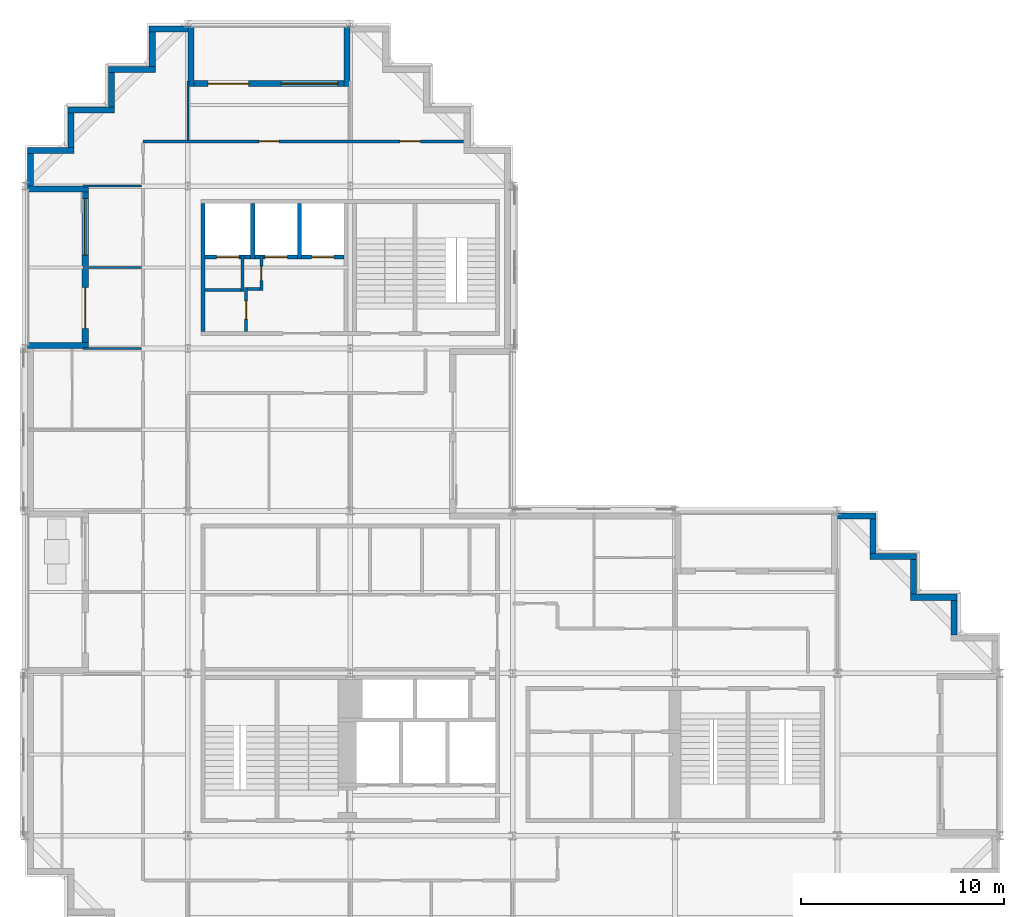
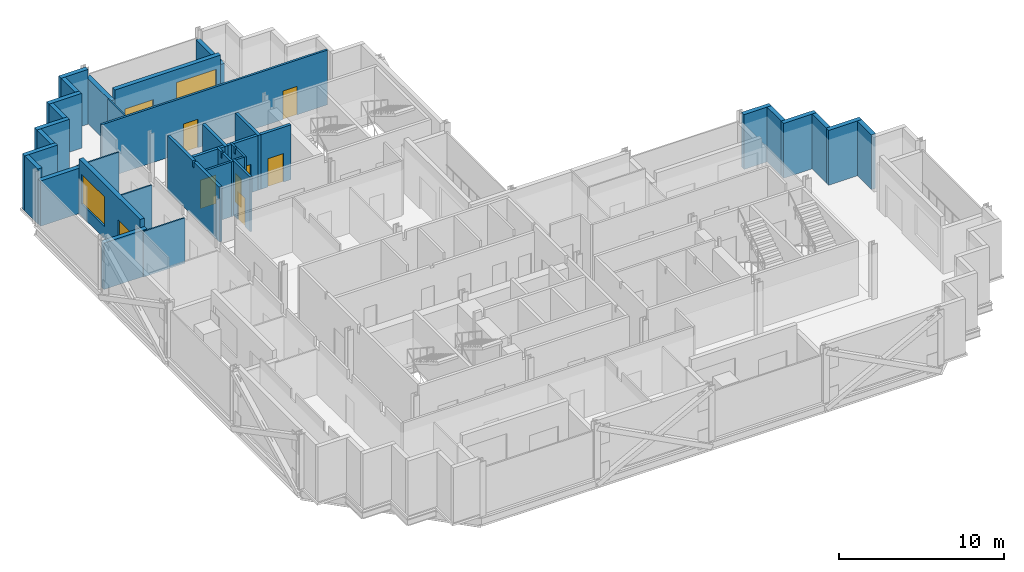
# One storey, part 8 of 13: 38 walls, 9 doors, 2 windows, 11 openings.
"""IFC4 building model written with IfcOpenShell, lengths in metres."""

from ifc_helpers import new_model, si_unit, direction, frame, frame_2d, origin, place, context, subcontext, project, spatial, polyline, rectangle, outline, extrude, material, layer, layer_set, type_object, element, fill, save


model = new_model("IFC4")

# Units and contexts
model_context = context("Model", 3, precision=1e-05, world=origin(), true_north=direction((0.0, 1.0)))
body_context = subcontext(model_context, "Body", "Model", "MODEL_VIEW")
ifc_project = project(units=[si_unit("LENGTHUNIT", "METRE"), si_unit("AREAUNIT", "SQUARE_METRE"), si_unit("VOLUMEUNIT", "CUBIC_METRE"), si_unit("PLANEANGLEUNIT", "RADIAN"), si_unit("MASSUNIT", "GRAM", prefix="KILO")], contexts=[model_context])

# Site, building, storey
site_placement = place(None, origin())
site = spatial("IfcSite", under=ifc_project, at=site_placement, CompositionType="ELEMENT")
building_placement = place(site_placement, origin())
building = spatial("IfcBuilding", under=site, at=building_placement, Name="Immortelle Media Tower", CompositionType="ELEMENT")
storey_placement = place(building_placement, frame((0.0, 0.0, 170.39990234375)))
storey = spatial("IfcBuildingStorey", under=building, at=storey_placement, Name="L35", CompositionType="ELEMENT", Elevation=170.39990234375)

# Walls
ifc_material_1 = material(Name="Fire-rated gypsum board", Category="gypsum")
ifc_layer_1 = layer(ifc_material_1, 0.02490234375)
ifc_material_2 = material(Name="Steel ASTM A653 SS Gr 50 stud frame with mineral wool", Category="steel")
ifc_layer_2 = layer(ifc_material_2, 0.10009765625)
ifc_layer_3 = layer(ifc_material_1, 0.02490234375)
ifc_layer_set_1 = layer_set([ifc_layer_1, ifc_layer_2, ifc_layer_3], Name="Steel ASTM A653 SS Gr 50 stud frame with mineral wool")
wall_type_1 = type_object("IfcWallType", Name="Core partition 150", PredefinedType="PARTITIONING", material=ifc_layer_set_1)
wall_1_placement = place(storey_placement, frame((8.85009765625, 34.875, 0.0), z_axis=(0.0, 0.0, 1.0), x_axis=(1.0, 0.0, 0.0)))
element("IfcWall", 1, at=wall_1_placement, inside=storey, type_object=wall_type_1, Name="Core partition NW", PredefinedType="PARTITIONING", context=body_context, shape_type="SweptSolid", body=[
    extrude(rectangle(XDim=1.77490234375, YDim=0.14990234375, at=frame_2d((0.887451171875, 0.0))), origin(), (0.0, 0.0, 1.0), 4.050048828125),
])
wall_2_placement = place(storey_placement, frame((10.699951171875, 34.800048828125, 0.0), z_axis=(0.0, 0.0, 1.0), x_axis=(0.0, 1.0, 0.0)))
element("IfcWall", 2, at=wall_2_placement, inside=storey, type_object=wall_type_1, Name="Core partition NW", PredefinedType="PARTITIONING", context=body_context, shape_type="SweptSolid", body=[
    extrude(outline(polyline([(0.0, 0.0), (1.800048828125, 0.0), (1.800048828125, 4.050048828125), (1.281494140625, 4.050048828125), (1.280517578125, 3.589111328125), (1.119384765625, 3.589111328125), (1.118408203125, 4.050048828125), (0.0, 4.050048828125), (0.0, 0.0)])), frame((0.0, 0.074951171875, 0.0), z_axis=(0.0, -1.0, 0.0), x_axis=(1.0, 0.0, 0.0)), (0.0, 0.0, 1.0), 0.14990234375),
])

# Wall, opening, door
wall_3_placement = place(storey_placement, frame((10.875, 32.85009765625, 0.0), z_axis=(0.0, 0.0, 1.0), x_axis=(0.0, 1.0, 0.0)))
wall_3 = element("IfcWall", 3, at=wall_3_placement, inside=storey, type_object=wall_type_1, Name="Core partition NW", PredefinedType="PARTITIONING", context=body_context, shape_type="SweptSolid", body=[
    extrude(rectangle(XDim=2.14990234375, YDim=0.14990234375, at=frame_2d((1.074951171875, 0.0))), origin(), (0.0, 0.0, 1.0), 4.050048828125),
])
opening_1_placement = place(wall_3_placement, frame((0.60009765625, 0.0, 0.0)))
opening_1 = element("IfcOpeningElement", 4, at=opening_1_placement, cuts=wall_3, Name="Opening C5-K026", PredefinedType="OPENING", context=body_context, shape_type="SweptSolid", body=[
    extrude(rectangle(XDim=0.89990234375, YDim=2.10009765625, at=frame_2d((0.449951171875, 1.050048828125))), frame((0.0, 0.0849609375, 0.0), z_axis=(0.0, -1.0, 0.0), x_axis=(1.0, 0.0, 0.0)), (0.0, 0.0, 1.0), 0.169921875),
])
ifc_material_3 = material(Name="Galvanised steel door leaf and frame ASTM A653", Category="steel")
door_type_1 = type_object("IfcDoorType", Name="Service door 900 x 2100", OperationType="NOTDEFINED", PredefinedType="NOTDEFINED", material=ifc_material_3)
door_1_placement = place(opening_1_placement, origin())
door_1 = element("IfcDoor", 5, at=door_1_placement, inside=storey, type_object=door_type_1, Name="Service C5-K026", OperationType="SINGLE_SWING_RIGHT", OverallHeight=2.10009765625, OverallWidth=0.89990234375, PredefinedType="NOTDEFINED", context=body_context, shape_type="SweptSolid", body=[
    extrude(rectangle(XDim=0.89990234375, YDim=2.10009765625, at=frame_2d((0.449951171875, 1.050048828125))), frame((0.0, 0.02490234375, 0.0), z_axis=(0.0, -1.0, 0.0), x_axis=(1.0, 0.0, 0.0)), (0.0, 0.0, 1.0), 0.050048828125),
])
fill(opening_1, door_1)

# Wall
wall_4_placement = place(storey_placement, frame((10.949951171875, 34.925048828125, 0.0), z_axis=(0.0, 0.0, 1.0), x_axis=(1.0, 0.0, 0.0)))
element("IfcWall", 6, at=wall_4_placement, inside=storey, type_object=wall_type_1, Name="Core partition NW", PredefinedType="PARTITIONING", context=body_context, shape_type="SweptSolid", body=[
    extrude(rectangle(XDim=0.60009765625, YDim=0.14990234375, at=frame_2d((0.300048828125, 0.0))), origin(), (0.0, 0.0, 1.0), 4.050048828125),
])

# Wall, opening, door
wall_5_placement = place(storey_placement, frame((11.625, 34.85009765625, 0.0), z_axis=(0.0, 0.0, 1.0), x_axis=(0.0, 1.0, 0.0)))
wall_5 = element("IfcWall", 7, at=wall_5_placement, inside=storey, type_object=wall_type_1, Name="Core partition NW", PredefinedType="PARTITIONING", context=body_context, shape_type="SweptSolid", body=[
    extrude(outline(polyline([(0.0, 0.0), (1.75, 0.0), (1.75, 4.050048828125), (1.2314453125, 4.050048828125), (1.23046875, 3.589111328125), (1.069580078125, 3.589111328125), (1.068603515625, 4.050048828125), (0.0, 4.050048828125), (0.0, 0.0)])), frame((0.0, 0.074951171875, 0.0), z_axis=(0.0, -1.0, 0.0), x_axis=(1.0, 0.0, 0.0)), (0.0, 0.0, 1.0), 0.14990234375),
])
opening_2_placement = place(wall_5_placement, frame((0.5, 0.0, 0.0)))
opening_2 = element("IfcOpeningElement", 8, at=opening_2_placement, cuts=wall_5, Name="Opening C5-K027", PredefinedType="OPENING", context=body_context, shape_type="SweptSolid", body=[
    extrude(rectangle(XDim=0.699951171875, YDim=2.10009765625, at=frame_2d((0.35009765625, 1.050048828125))), frame((0.0, 0.0849609375, 0.0), z_axis=(0.0, -1.0, 0.0), x_axis=(1.0, 0.0, 0.0)), (0.0, 0.0, 1.0), 0.169921875),
])
door_type_2 = type_object("IfcDoorType", Name="Service door 700 x 2100", OperationType="NOTDEFINED", PredefinedType="NOTDEFINED", material=ifc_material_3)
door_2_placement = place(opening_2_placement, origin())
door_2 = element("IfcDoor", 9, at=door_2_placement, inside=storey, type_object=door_type_2, Name="Service C5-K027", OperationType="SINGLE_SWING_RIGHT", OverallHeight=2.10009765625, OverallWidth=0.699951171875, PredefinedType="NOTDEFINED", context=body_context, shape_type="SweptSolid", body=[
    extrude(rectangle(XDim=0.699951171875, YDim=2.10009765625, at=frame_2d((0.35009765625, 1.050048828125))), frame((0.0, 0.02490234375, 0.0), z_axis=(0.0, -1.0, 0.0), x_axis=(1.0, 0.0, 0.0)), (0.0, 0.0, 1.0), 0.050048828125),
])
fill(opening_2, door_2)

# Wall
ifc_layer_4 = layer(ifc_material_1, 0.03759765625)
ifc_layer_5 = layer(ifc_material_2, 0.125)
ifc_layer_6 = layer(ifc_material_1, 0.03759765625)
ifc_layer_set_2 = layer_set([ifc_layer_4, ifc_layer_5, ifc_layer_6], Name="Steel ASTM A653 SS Gr 50 stud frame with mineral wool")
wall_type_2 = type_object("IfcWallType", Name="Core shaft wall 200", PredefinedType="PARTITIONING", material=ifc_layer_set_2)
wall_6_placement = place(storey_placement, frame((8.75, 32.85009765625, 0.0), z_axis=(0.0, 0.0, 1.0), x_axis=(0.0, 1.0, 0.0)))
element("IfcWall", 10, at=wall_6_placement, inside=storey, type_object=wall_type_2, Name="Core shaft wall NW", PredefinedType="PARTITIONING", context=body_context, shape_type="SweptSolid", body=[
    extrude(outline(polyline([(0.0, 0.0), (6.2998046875, 0.0), (6.300048828125, 4.050048828125), (3.2314453125, 4.050048828125), (3.23046875, 3.589111328125), (3.069580078125, 3.589111328125), (3.068603515625, 4.050048828125), (0.0, 4.050048828125), (0.0, 0.0)])), frame((0.0, 0.10009765625, 0.0), z_axis=(0.0, -1.0, 0.0), x_axis=(1.0, 0.0, 0.0)), (0.0, 0.0, 1.0), 0.199951171875),
])

# Wall, opening, door
wall_7_placement = place(storey_placement, frame((8.85009765625, 36.5, 0.0), z_axis=(0.0, 0.0, 1.0), x_axis=(1.0, 0.0, 0.0)))
wall_7 = element("IfcWall", 11, at=wall_7_placement, inside=storey, type_object=wall_type_2, Name="Core shaft wall NW", PredefinedType="PARTITIONING", context=body_context, shape_type="SweptSolid", body=[
    extrude(rectangle(XDim=1.77490234375, YDim=0.199951171875, at=frame_2d((0.887451171875, 0.0))), origin(), (0.0, 0.0, 1.0), 4.050048828125),
])
opening_3_placement = place(wall_7_placement, frame((0.574951171875, 0.0, 0.0)))
opening_3 = element("IfcOpeningElement", 12, at=opening_3_placement, cuts=wall_7, Name="Opening LD", PredefinedType="OPENING", context=body_context, shape_type="SweptSolid", body=[
    extrude(rectangle(XDim=1.10009765625, YDim=2.10009765625, at=frame_2d((0.550048828125, 1.050048828125))), frame((0.0, 0.10986328125, 0.0), z_axis=(0.0, -1.0, 0.0), x_axis=(1.0, 0.0, 0.0)), (0.0, 0.0, 1.0), 0.219970703125),
])
ifc_material_4 = material(Name="Stainless steel AISI 304", Category="steel")
door_type_3 = type_object("IfcDoorType", Name="Landing door 1100 x 2100", OperationType="SLIDING_TO_LEFT", PredefinedType="NOTDEFINED", material=ifc_material_4)
door_3_placement = place(opening_3_placement, origin())
door_3 = element("IfcDoor", 13, at=door_3_placement, inside=storey, type_object=door_type_3, Name="Landing door MR1 L35", OperationType="SLIDING_TO_LEFT", OverallHeight=2.10009765625, OverallWidth=1.10009765625, PredefinedType="NOTDEFINED", context=body_context, shape_type="SweptSolid", body=[
    extrude(rectangle(XDim=1.10009765625, YDim=2.10009765625, at=frame_2d((0.550048828125, 1.050048828125))), frame((0.0, 0.02490234375, 0.0), z_axis=(0.0, -1.0, 0.0), x_axis=(1.0, 0.0, 0.0)), (0.0, 0.0, 1.0), 0.050048828125),
])
fill(opening_3, door_3)

# Walls
wall_8_placement = place(storey_placement, frame((10.77490234375, 36.5, 0.0), z_axis=(0.0, 0.0, 1.0), x_axis=(1.0, 0.0, 0.0)))
element("IfcWall", 14, at=wall_8_placement, inside=storey, type_object=wall_type_2, Name="Core shaft wall NW", PredefinedType="PARTITIONING", context=body_context, shape_type="SweptSolid", body=[
    extrude(rectangle(XDim=0.3251953125, YDim=0.199951171875, at=frame_2d((0.16259765625, 0.0))), origin(), (0.0, 0.0, 1.0), 4.050048828125),
])
wall_9_placement = place(storey_placement, frame((11.199951171875, 36.39990234375, 0.0), z_axis=(0.0, 0.0, 1.0), x_axis=(0.0, 1.0, 0.0)))
element("IfcWall", 15, at=wall_9_placement, inside=storey, type_object=wall_type_2, Name="Core shaft wall NW", PredefinedType="PARTITIONING", context=body_context, shape_type="SweptSolid", body=[
    extrude(rectangle(XDim=2.75, YDim=0.199951171875, at=frame_2d((1.375, 0.0))), origin(), (0.0, 0.0, 1.0), 4.050048828125),
])
wall_10_placement = place(storey_placement, frame((11.300048828125, 36.5, 0.0), z_axis=(0.0, 0.0, 1.0), x_axis=(1.0, 0.0, 0.0)))
element("IfcWall", 16, at=wall_10_placement, inside=storey, type_object=wall_type_2, Name="Core shaft wall NW", PredefinedType="PARTITIONING", context=body_context, shape_type="SweptSolid", body=[
    extrude(rectangle(XDim=0.25, YDim=0.199951171875, at=frame_2d((0.125, 0.0))), origin(), (0.0, 0.0, 1.0), 4.050048828125),
])

# Wall, opening, door
wall_11_placement = place(storey_placement, frame((11.699951171875, 36.5, 0.0), z_axis=(0.0, 0.0, 1.0), x_axis=(1.0, 0.0, 0.0)))
wall_11 = element("IfcWall", 17, at=wall_11_placement, inside=storey, type_object=wall_type_2, Name="Core shaft wall NW", PredefinedType="PARTITIONING", context=body_context, shape_type="SweptSolid", body=[
    extrude(rectangle(XDim=1.699951171875, YDim=0.199951171875, at=frame_2d((0.85009765625, 0.0))), origin(), (0.0, 0.0, 1.0), 4.050048828125),
])
opening_4_placement = place(wall_11_placement, frame((0.10009765625, 0.0, 0.0)))
opening_4 = element("IfcOpeningElement", 18, at=opening_4_placement, cuts=wall_11, Name="Opening LD", PredefinedType="OPENING", context=body_context, shape_type="SweptSolid", body=[
    extrude(rectangle(XDim=1.10009765625, YDim=2.10009765625, at=frame_2d((0.550048828125, 1.050048828125))), frame((0.0, 0.10986328125, 0.0), z_axis=(0.0, -1.0, 0.0), x_axis=(1.0, 0.0, 0.0)), (0.0, 0.0, 1.0), 0.219970703125),
])
door_4_placement = place(opening_4_placement, origin())
door_4 = element("IfcDoor", 19, at=door_4_placement, inside=storey, type_object=door_type_3, Name="Landing door MR2 L35", OperationType="SLIDING_TO_LEFT", OverallHeight=2.10009765625, OverallWidth=1.10009765625, PredefinedType="NOTDEFINED", context=body_context, shape_type="SweptSolid", body=[
    extrude(rectangle(XDim=1.10009765625, YDim=2.10009765625, at=frame_2d((0.550048828125, 1.050048828125))), frame((0.0, 0.02490234375, 0.0), z_axis=(0.0, -1.0, 0.0), x_axis=(1.0, 0.0, 0.0)), (0.0, 0.0, 1.0), 0.050048828125),
])
fill(opening_4, door_4)

# Wall
wall_12_placement = place(storey_placement, frame((13.5, 36.39990234375, 0.0), z_axis=(0.0, 0.0, 1.0), x_axis=(0.0, 1.0, 0.0)))
element("IfcWall", 20, at=wall_12_placement, inside=storey, type_object=wall_type_2, Name="Core shaft wall NW", PredefinedType="PARTITIONING", context=body_context, shape_type="SweptSolid", body=[
    extrude(rectangle(XDim=2.75, YDim=0.199951171875, at=frame_2d((1.375, 0.0))), origin(), (0.0, 0.0, 1.0), 4.050048828125),
])

# Wall, opening, door
wall_13_placement = place(storey_placement, frame((13.60009765625, 36.5, 0.0), z_axis=(0.0, 0.0, 1.0), x_axis=(1.0, 0.0, 0.0)))
wall_13 = element("IfcWall", 21, at=wall_13_placement, inside=storey, type_object=wall_type_2, Name="Core shaft wall NW", PredefinedType="PARTITIONING", context=body_context, shape_type="SweptSolid", body=[
    extrude(rectangle(XDim=2.099853515625, YDim=0.199951171875, at=frame_2d((1.0498046875, 0.0))), origin(), (0.0, 0.0, 1.0), 4.050048828125),
])
opening_5_placement = place(wall_13_placement, frame((0.5, 0.0, 0.0)))
opening_5 = element("IfcOpeningElement", 22, at=opening_5_placement, cuts=wall_13, Name="Opening LD", PredefinedType="OPENING", context=body_context, shape_type="SweptSolid", body=[
    extrude(rectangle(XDim=1.10009765625, YDim=2.10009765625, at=frame_2d((0.550048828125, 1.050048828125))), frame((0.0, 0.10986328125, 0.0), z_axis=(0.0, -1.0, 0.0), x_axis=(1.0, 0.0, 0.0)), (0.0, 0.0, 1.0), 0.219970703125),
])
door_5_placement = place(opening_5_placement, origin())
door_5 = element("IfcDoor", 23, at=door_5_placement, inside=storey, type_object=door_type_3, Name="Landing door MR3 L35", OperationType="SLIDING_TO_LEFT", OverallHeight=2.10009765625, OverallWidth=1.10009765625, PredefinedType="NOTDEFINED", context=body_context, shape_type="SweptSolid", body=[
    extrude(rectangle(XDim=1.10009765625, YDim=2.10009765625, at=frame_2d((0.550048828125, 1.050048828125))), frame((0.0, 0.02490234375, 0.0), z_axis=(0.0, -1.0, 0.0), x_axis=(1.0, 0.0, 0.0)), (0.0, 0.0, 1.0), 0.050048828125),
])
fill(opening_5, door_5)

# Wall, openings, doors
ifc_layer_7 = layer(ifc_material_1, 0.012451171875)
ifc_layer_8 = layer(ifc_material_2, 0.125)
ifc_layer_9 = layer(ifc_material_1, 0.012451171875)
ifc_layer_set_3 = layer_set([ifc_layer_7, ifc_layer_8, ifc_layer_9], Name="Steel ASTM A653 SS Gr 50 stud frame with mineral wool")
wall_type_3 = type_object("IfcWallType", Name="Corridor wall 150", PredefinedType="PARTITIONING", material=ifc_layer_set_3)
wall_14_placement = place(storey_placement, frame((5.800048828125, 42.199951171875, 0.0), z_axis=(0.0, 0.0, 1.0), x_axis=(1.0, 0.0, 0.0)))
wall_14 = element("IfcWall", 24, at=wall_14_placement, inside=storey, type_object=wall_type_3, Name="Partition L35-032", PredefinedType="PARTITIONING", context=body_context, shape_type="SweptSolid", body=[
    extrude(rectangle(XDim=15.77001953125, YDim=0.14990234375, at=frame_2d((7.885009765625, 0.0))), origin(), (0.0, 0.0, 1.0), 4.050048828125),
])
opening_6_placement = place(wall_14_placement, frame((5.699951171875, 0.0, 0.0)))
opening_6 = element("IfcOpeningElement", 25, at=opening_6_placement, cuts=wall_14, Name="Opening C5-F022", PredefinedType="OPENING", context=body_context, shape_type="SweptSolid", body=[
    extrude(rectangle(XDim=1.0, YDim=2.10009765625, at=frame_2d((0.5, 1.050048828125))), frame((0.0, 0.0849609375, 0.0), z_axis=(0.0, -1.0, 0.0), x_axis=(1.0, 0.0, 0.0)), (0.0, 0.0, 1.0), 0.169921875),
])
opening_7_placement = place(wall_14_placement, frame((12.64990234375, 0.0, 0.0)))
opening_7 = element("IfcOpeningElement", 26, at=opening_7_placement, cuts=wall_14, Name="Opening C5-F023", PredefinedType="OPENING", context=body_context, shape_type="SweptSolid", body=[
    extrude(rectangle(XDim=1.0, YDim=2.10009765625, at=frame_2d((0.5, 1.050048828125))), frame((0.0, 0.0849609375, 0.0), z_axis=(0.0, -1.0, 0.0), x_axis=(1.0, 0.0, 0.0)), (0.0, 0.0, 1.0), 0.169921875),
])
ifc_material_5 = material(Name="Timber veneered door leaf, galvanised steel frame ASTM A653", Category="steel")
door_type_4 = type_object("IfcDoorType", Name="Room door 1000 x 2100", OperationType="NOTDEFINED", PredefinedType="DOOR", material=ifc_material_5)
door_6_placement = place(opening_6_placement, origin())
door_6 = element("IfcDoor", 27, at=door_6_placement, inside=storey, type_object=door_type_4, Name="Door C5-F022", OperationType="SINGLE_SWING_LEFT", OverallHeight=2.10009765625, OverallWidth=1.0, PredefinedType="DOOR", context=body_context, shape_type="SweptSolid", body=[
    extrude(rectangle(XDim=1.0, YDim=2.10009765625, at=frame_2d((0.5, 1.050048828125))), frame((0.0, 0.02490234375, 0.0), z_axis=(0.0, -1.0, 0.0), x_axis=(1.0, 0.0, 0.0)), (0.0, 0.0, 1.0), 0.050048828125),
])
fill(opening_6, door_6)
door_7_placement = place(opening_7_placement, origin())
door_7 = element("IfcDoor", 28, at=door_7_placement, inside=storey, type_object=door_type_4, Name="Door C5-F023", OperationType="SINGLE_SWING_RIGHT", OverallHeight=2.10009765625, OverallWidth=1.0, PredefinedType="DOOR", context=body_context, shape_type="SweptSolid", body=[
    extrude(rectangle(XDim=1.0, YDim=2.10009765625, at=frame_2d((0.5, 1.050048828125))), frame((0.0, 0.02490234375, 0.0), z_axis=(0.0, -1.0, 0.0), x_axis=(1.0, 0.0, 0.0)), (0.0, 0.0, 1.0), 0.050048828125),
])
fill(opening_7, door_7)

# Walls
ifc_material_6 = material(Name="Pale aluminium cladding panel", Category="aluminium")
ifc_layer_10 = layer(ifc_material_6, 0.030029296875)
ifc_layer_11 = layer(ifc_material_2, 0.257568359375)
ifc_material_7 = material(Name="Moisture-resistant gypsum board", Category="gypsum")
ifc_layer_12 = layer(ifc_material_7, 0.012451171875)
ifc_layer_set_4 = layer_set([ifc_layer_10, ifc_layer_11, ifc_layer_12], Name="Steel ASTM A653 SS Gr 50 stud frame with mineral wool")
wall_type_4 = type_object("IfcWallType", Name="Facade wall 300", PredefinedType="SOLIDWALL", material=ifc_layer_set_4)
wall_15_placement = place(storey_placement, frame((45.75, 17.89990234375, 0.0), z_axis=(0.0, 0.0, 1.0), x_axis=(0.0, 1.0, 0.0)))
element("IfcWall", 29, at=wall_15_placement, inside=storey, type_object=wall_type_4, Name="Facade wall L35 E15", PredefinedType="SOLIDWALL", context=body_context, shape_type="SweptSolid", body=[
    extrude(rectangle(XDim=1.7001953125, YDim=0.300048828125, at=frame_2d((0.85009765625, 0.0))), origin(), (0.0, 0.0, 1.0), 4.050048828125),
])
wall_16_placement = place(storey_placement, frame((45.89990234375, 19.75, 0.0), z_axis=(0.0, 0.0, 1.0), x_axis=(-1.0, 0.0, 0.0)))
element("IfcWall", 30, at=wall_16_placement, inside=storey, type_object=wall_type_4, Name="Facade wall L35 N16", PredefinedType="SOLIDWALL", context=body_context, shape_type="SweptSolid", body=[
    extrude(rectangle(XDim=2.2998046875, YDim=0.300048828125, at=frame_2d((1.14990234375, 0.0))), origin(), (0.0, 0.0, 1.0), 4.050048828125),
])
wall_17_placement = place(storey_placement, frame((43.75, 19.89990234375, 0.0), z_axis=(0.0, 0.0, 1.0), x_axis=(0.0, 1.0, 0.0)))
element("IfcWall", 31, at=wall_17_placement, inside=storey, type_object=wall_type_4, Name="Facade wall L35 E17", PredefinedType="SOLIDWALL", context=body_context, shape_type="SweptSolid", body=[
    extrude(rectangle(XDim=1.7001953125, YDim=0.300048828125, at=frame_2d((0.85009765625, 0.0))), origin(), (0.0, 0.0, 1.0), 4.050048828125),
])
wall_18_placement = place(storey_placement, frame((43.89990234375, 21.75, 0.0), z_axis=(0.0, 0.0, 1.0), x_axis=(-1.0, 0.0, 0.0)))
element("IfcWall", 32, at=wall_18_placement, inside=storey, type_object=wall_type_4, Name="Facade wall L35 N18", PredefinedType="SOLIDWALL", context=body_context, shape_type="SweptSolid", body=[
    extrude(rectangle(XDim=2.2998046875, YDim=0.300048828125, at=frame_2d((1.14990234375, 0.0))), origin(), (0.0, 0.0, 1.0), 4.050048828125),
])
wall_19_placement = place(storey_placement, frame((41.75, 21.89990234375, 0.0), z_axis=(0.0, 0.0, 1.0), x_axis=(0.0, 1.0, 0.0)))
element("IfcWall", 33, at=wall_19_placement, inside=storey, type_object=wall_type_4, Name="Facade wall L35 E19", PredefinedType="SOLIDWALL", context=body_context, shape_type="SweptSolid", body=[
    extrude(rectangle(XDim=1.7001953125, YDim=0.300048828125, at=frame_2d((0.85009765625, 0.0))), origin(), (0.0, 0.0, 1.0), 4.050048828125),
])
wall_20_placement = place(storey_placement, frame((41.89990234375, 23.75, 0.0), z_axis=(0.0, 0.0, 1.0), x_axis=(-1.0, 0.0, 0.0)))
element("IfcWall", 34, at=wall_20_placement, inside=storey, type_object=wall_type_4, Name="Facade wall L35 N20", PredefinedType="SOLIDWALL", context=body_context, shape_type="SweptSolid", body=[
    extrude(rectangle(XDim=1.89990234375, YDim=0.300048828125, at=frame_2d((0.949951171875, 0.0))), origin(), (0.0, 0.0, 1.0), 4.050048828125),
])

# Wall, openings, door, window
wall_21_placement = place(storey_placement, frame((15.699951171875, 45.050048828125, 0.0), z_axis=(0.0, 0.0, 1.0), x_axis=(-1.0, 0.0, 0.0)))
wall_21 = element("IfcWall", 35, at=wall_21_placement, inside=storey, type_object=wall_type_4, Name="Loggia wall L35 N28", PredefinedType="SOLIDWALL", context=body_context, shape_type="SweptSolid", body=[
    extrude(rectangle(XDim=7.39990234375, YDim=0.300048828125, at=frame_2d((3.699951171875, 0.0))), origin(), (0.0, 0.0, 1.0), 4.050048828125),
])
opening_8_placement = place(wall_21_placement, frame((0.300048828125, 0.0, 0.89990234375)))
opening_8 = element("IfcOpeningElement", 36, at=opening_8_placement, cuts=wall_21, Name="Opening W1", PredefinedType="OPENING", context=body_context, shape_type="SweptSolid", body=[
    extrude(rectangle(XDim=2.800048828125, YDim=2.199951171875, at=frame_2d((1.39990234375, 1.10009765625))), frame((0.0, 0.159912109375, 0.0), z_axis=(0.0, -1.0, 0.0), x_axis=(1.0, 0.0, 0.0)), (0.0, 0.0, 1.0), 0.320068359375),
])
opening_9_placement = place(wall_21_placement, frame((4.699951171875, 0.0, 0.0)))
opening_9 = element("IfcOpeningElement", 37, at=opening_9_placement, cuts=wall_21, Name="Opening C5-E006", PredefinedType="OPENING", context=body_context, shape_type="SweptSolid", body=[
    extrude(rectangle(XDim=2.0, YDim=2.39990234375, at=frame_2d((1.0, 1.199951171875))), frame((0.0, 0.159912109375, 0.0), z_axis=(0.0, -1.0, 0.0), x_axis=(1.0, 0.0, 0.0)), (0.0, 0.0, 1.0), 0.320068359375),
])
ifc_material_8 = material(Name="Aluminium frame, glazed leaves", Category="aluminium")
door_type_5 = type_object("IfcDoorType", Name="Loggia door 2000 x 2400", OperationType="DOUBLE_DOOR_SINGLE_SWING", PredefinedType="DOOR", material=ifc_material_8)
door_8_placement = place(opening_9_placement, origin())
door_8 = element("IfcDoor", 38, at=door_8_placement, inside=storey, type_object=door_type_5, Name="Door C5-E006", OperationType="DOUBLE_DOOR_SINGLE_SWING", OverallHeight=2.39990234375, OverallWidth=2.0, PredefinedType="DOOR", context=body_context, shape_type="SweptSolid", body=[
    extrude(rectangle(XDim=2.0, YDim=2.39990234375, at=frame_2d((1.0, 1.199951171875))), frame((0.0, 0.02490234375, 0.0), z_axis=(0.0, -1.0, 0.0), x_axis=(1.0, 0.0, 0.0)), (0.0, 0.0, 1.0), 0.050048828125),
])
fill(opening_9, door_8)
ifc_material_9 = material(Name="Aluminium frame", Category="aluminium")
window_type = type_object("IfcWindowType", Name="Window 2800 x 2200", PartitioningType="SINGLE_PANEL", PredefinedType="WINDOW", material=ifc_material_9)
window_1_placement = place(opening_8_placement, origin())
window_1 = element("IfcWindow", 39, at=window_1_placement, inside=storey, type_object=window_type, Name="Window L35 L35-R28-B0", OverallHeight=2.199951171875, OverallWidth=2.800048828125, PartitioningType="SINGLE_PANEL", PredefinedType="WINDOW", context=body_context, shape_type="SweptSolid", body=[
    extrude(rectangle(XDim=2.800048828125, YDim=2.199951171875, at=frame_2d((1.39990234375, 1.10009765625))), frame((0.0, 0.030029296875, 0.0), z_axis=(0.0, -1.0, 0.0), x_axis=(1.0, 0.0, 0.0)), (0.0, 0.0, 1.0), 0.06005859375),
])
fill(opening_8, window_1)

# Walls
for number, where, z_axis, x_axis, name in (
    (40, (15.85009765625, 47.89990234375, 0.0), (0.0, 0.0, 1.0), (0.0, -1.0, 0.0), "Loggia cheek wall L35 N"),
    (41, (8.14990234375, 47.89990234375, 0.0), (0.0, 0.0, 1.0), (0.0, -1.0, 0.0), "Loggia cheek wall L35 N"),
):
    element("IfcWall", number, at=place(storey_placement, frame(where, z_axis=z_axis, x_axis=x_axis)), inside=storey, type_object=wall_type_4, Name=name, PredefinedType="SOLIDWALL", context=body_context, shape_type="SweptSolid", body=[
        extrude(rectangle(XDim=3.0, YDim=0.300048828125, at=frame_2d((1.5, 0.0))), origin(), (0.0, 0.0, 1.0), 3.35302734375),
    ])
wall_22_placement = place(storey_placement, frame((8.0, 47.75, 0.0), z_axis=(0.0, 0.0, 1.0), x_axis=(-1.0, 0.0, 0.0)))
element("IfcWall", 42, at=wall_22_placement, inside=storey, type_object=wall_type_4, Name="Facade wall L35 N28", PredefinedType="SOLIDWALL", context=body_context, shape_type="SweptSolid", body=[
    extrude(rectangle(XDim=1.89990234375, YDim=0.300048828125, at=frame_2d((0.949951171875, 0.0))), origin(), (0.0, 0.0, 1.0), 4.050048828125),
])
wall_23_placement = place(storey_placement, frame((6.25, 47.60009765625, 0.0), z_axis=(0.0, 0.0, 1.0), x_axis=(0.0, -1.0, 0.0)))
element("IfcWall", 43, at=wall_23_placement, inside=storey, type_object=wall_type_4, Name="Facade wall L35 W29", PredefinedType="SOLIDWALL", context=body_context, shape_type="SweptSolid", body=[
    extrude(rectangle(XDim=1.7001953125, YDim=0.300048828125, at=frame_2d((0.85009765625, 0.0))), origin(), (0.0, 0.0, 1.0), 4.050048828125),
])
wall_24_placement = place(storey_placement, frame((6.39990234375, 45.75, 0.0), z_axis=(0.0, 0.0, 1.0), x_axis=(-1.0, 0.0, 0.0)))
element("IfcWall", 44, at=wall_24_placement, inside=storey, type_object=wall_type_4, Name="Facade wall L35 N30", PredefinedType="SOLIDWALL", context=body_context, shape_type="SweptSolid", body=[
    extrude(rectangle(XDim=2.2998046875, YDim=0.300048828125, at=frame_2d((1.14990234375, 0.0))), origin(), (0.0, 0.0, 1.0), 4.050048828125),
])
wall_25_placement = place(storey_placement, frame((4.25, 45.60009765625, 0.0), z_axis=(0.0, 0.0, 1.0), x_axis=(0.0, -1.0, 0.0)))
element("IfcWall", 45, at=wall_25_placement, inside=storey, type_object=wall_type_4, Name="Facade wall L35 W31", PredefinedType="SOLIDWALL", context=body_context, shape_type="SweptSolid", body=[
    extrude(rectangle(XDim=1.7001953125, YDim=0.300048828125, at=frame_2d((0.85009765625, 0.0))), origin(), (0.0, 0.0, 1.0), 4.050048828125),
])
wall_26_placement = place(storey_placement, frame((4.39990234375, 43.75, 0.0), z_axis=(0.0, 0.0, 1.0), x_axis=(-1.0, 0.0, 0.0)))
element("IfcWall", 46, at=wall_26_placement, inside=storey, type_object=wall_type_4, Name="Facade wall L35 N32", PredefinedType="SOLIDWALL", context=body_context, shape_type="SweptSolid", body=[
    extrude(rectangle(XDim=2.2998046875, YDim=0.300048828125, at=frame_2d((1.14990234375, 0.0))), origin(), (0.0, 0.0, 1.0), 4.050048828125),
])
wall_27_placement = place(storey_placement, frame((2.25, 43.60009765625, 0.0), z_axis=(0.0, 0.0, 1.0), x_axis=(0.0, -1.0, 0.0)))
element("IfcWall", 47, at=wall_27_placement, inside=storey, type_object=wall_type_4, Name="Facade wall L35 W33", PredefinedType="SOLIDWALL", context=body_context, shape_type="SweptSolid", body=[
    extrude(rectangle(XDim=1.7001953125, YDim=0.300048828125, at=frame_2d((0.85009765625, 0.0))), origin(), (0.0, 0.0, 1.0), 4.050048828125),
])
wall_28_placement = place(storey_placement, frame((2.39990234375, 41.75, 0.0), z_axis=(0.0, 0.0, 1.0), x_axis=(-1.0, 0.0, 0.0)))
element("IfcWall", 48, at=wall_28_placement, inside=storey, type_object=wall_type_4, Name="Facade wall L35 N34", PredefinedType="SOLIDWALL", context=body_context, shape_type="SweptSolid", body=[
    extrude(rectangle(XDim=2.2998046875, YDim=0.300048828125, at=frame_2d((1.14990234375, 0.0))), origin(), (0.0, 0.0, 1.0), 4.050048828125),
])
wall_29_placement = place(storey_placement, frame((0.25, 41.60009765625, 0.0), z_axis=(0.0, 0.0, 1.0), x_axis=(0.0, -1.0, 0.0)))
element("IfcWall", 49, at=wall_29_placement, inside=storey, type_object=wall_type_4, Name="Facade wall L35 W35", PredefinedType="SOLIDWALL", context=body_context, shape_type="SweptSolid", body=[
    extrude(rectangle(XDim=1.60009765625, YDim=0.300048828125, at=frame_2d((0.800048828125, 0.0))), origin(), (0.0, 0.0, 1.0), 4.050048828125),
])

# Wall, openings, door, window
wall_30_placement = place(storey_placement, frame((2.949951171875, 39.699951171875, 0.0), z_axis=(0.0, 0.0, 1.0), x_axis=(0.0, -1.0, 0.0)))
wall_30 = element("IfcWall", 50, at=wall_30_placement, inside=storey, type_object=wall_type_4, Name="Loggia wall L35 W35", PredefinedType="SOLIDWALL", context=body_context, shape_type="SweptSolid", body=[
    extrude(rectangle(XDim=7.39990234375, YDim=0.300048828125, at=frame_2d((3.699951171875, 0.0))), origin(), (0.0, 0.0, 1.0), 4.050048828125),
])
opening_10_placement = place(wall_30_placement, frame((0.300048828125, 0.0, 0.89990234375)))
opening_10 = element("IfcOpeningElement", 51, at=opening_10_placement, cuts=wall_30, Name="Opening W1", PredefinedType="OPENING", context=body_context, shape_type="SweptSolid", body=[
    extrude(rectangle(XDim=2.800048828125, YDim=2.199951171875, at=frame_2d((1.39990234375, 1.10009765625))), frame((0.0, 0.159912109375, 0.0), z_axis=(0.0, -1.0, 0.0), x_axis=(1.0, 0.0, 0.0)), (0.0, 0.0, 1.0), 0.320068359375),
])
opening_11_placement = place(wall_30_placement, frame((4.699951171875, 0.0, 0.0)))
opening_11 = element("IfcOpeningElement", 52, at=opening_11_placement, cuts=wall_30, Name="Opening C5-E007", PredefinedType="OPENING", context=body_context, shape_type="SweptSolid", body=[
    extrude(rectangle(XDim=2.0, YDim=2.39990234375, at=frame_2d((1.0, 1.199951171875))), frame((0.0, 0.159912109375, 0.0), z_axis=(0.0, -1.0, 0.0), x_axis=(1.0, 0.0, 0.0)), (0.0, 0.0, 1.0), 0.320068359375),
])
door_9_placement = place(opening_11_placement, origin())
door_9 = element("IfcDoor", 53, at=door_9_placement, inside=storey, type_object=door_type_5, Name="Door C5-E007", OperationType="DOUBLE_DOOR_SINGLE_SWING", OverallHeight=2.39990234375, OverallWidth=2.0, PredefinedType="DOOR", context=body_context, shape_type="SweptSolid", body=[
    extrude(rectangle(XDim=2.0, YDim=2.39990234375, at=frame_2d((1.0, 1.199951171875))), frame((0.0, 0.02490234375, 0.0), z_axis=(0.0, -1.0, 0.0), x_axis=(1.0, 0.0, 0.0)), (0.0, 0.0, 1.0), 0.050048828125),
])
fill(opening_11, door_9)
window_2_placement = place(opening_10_placement, origin())
window_2 = element("IfcWindow", 54, at=window_2_placement, inside=storey, type_object=window_type, Name="Window L35 L35-R35-B0", OverallHeight=2.199951171875, OverallWidth=2.800048828125, PartitioningType="SINGLE_PANEL", PredefinedType="WINDOW", context=body_context, shape_type="SweptSolid", body=[
    extrude(rectangle(XDim=2.800048828125, YDim=2.199951171875, at=frame_2d((1.39990234375, 1.10009765625))), frame((0.0, 0.030029296875, 0.0), z_axis=(0.0, -1.0, 0.0), x_axis=(1.0, 0.0, 0.0)), (0.0, 0.0, 1.0), 0.06005859375),
])
fill(opening_10, window_2)

# Walls
wall_31_placement = place(storey_placement, frame((0.10009765625, 39.85009765625, 0.0), z_axis=(0.0, 0.0, 1.0), x_axis=(1.0, 0.0, 0.0)))
element("IfcWall", 55, at=wall_31_placement, inside=storey, type_object=wall_type_4, Name="Loggia cheek wall L35 W", PredefinedType="SOLIDWALL", context=body_context, shape_type="SweptSolid", body=[
    extrude(rectangle(XDim=3.0, YDim=0.300048828125, at=frame_2d((1.5, 0.0))), origin(), (0.0, 0.0, 1.0), 3.35302734375),
])
wall_32_placement = place(storey_placement, frame((0.10009765625, 32.14990234375, 0.0), z_axis=(0.0, 0.0, 1.0), x_axis=(1.0, 0.0, 0.0)))
element("IfcWall", 56, at=wall_32_placement, inside=storey, type_object=wall_type_4, Name="Loggia cheek wall L35 W", PredefinedType="SOLIDWALL", context=body_context, shape_type="SweptSolid", body=[
    extrude(rectangle(XDim=3.0, YDim=0.300048828125, at=frame_2d((1.5, 0.0))), origin(), (0.0, 0.0, 1.0), 3.43701171875),
])
ifc_material_10 = material(Name="Gypsum board", Category="gypsum")
ifc_layer_13 = layer(ifc_material_10, 0.012451171875)
ifc_layer_14 = layer(ifc_material_2, 0.074951171875)
ifc_layer_15 = layer(ifc_material_10, 0.012451171875)
ifc_layer_set_5 = layer_set([ifc_layer_13, ifc_layer_14, ifc_layer_15], Name="Steel ASTM A653 SS Gr 50 stud frame with mineral wool")
wall_type_5 = type_object("IfcWallType", Name="Partition 100", PredefinedType="PARTITIONING", material=ifc_layer_set_5)
for number, where, z_axis, x_axis, name in (
    (57, (2.830078125, 32.0, 0.0), (0.0, 0.0, 1.0), (1.0, 0.0, 0.0), "Partition L35-029"),
    (58, (2.830078125, 36.0, 0.0), (0.0, 0.0, 1.0), (1.0, 0.0, 0.0), "Partition L35-030"),
    (59, (2.830078125, 40.0, 0.0), (0.0, 0.0, 1.0), (1.0, 0.0, 0.0), "Partition L35-031"),
    (60, (8.0, 42.27490234375, 0.0), (0.0, 0.0, 1.0), (0.0, 1.0, 0.0), "Partition L35-033"),
):
    element("IfcWall", number, at=place(storey_placement, frame(where, z_axis=z_axis, x_axis=x_axis)), inside=storey, type_object=wall_type_5, Name=name, PredefinedType="PARTITIONING", context=body_context, shape_type="SweptSolid", body=[
        extrude(rectangle(XDim=2.89501953125, YDim=0.10009765625, at=frame_2d((1.447509765625, 0.0))), origin(), (0.0, 0.0, 1.0), 3.35400390625),
    ])

save(model, "model.ifc")
